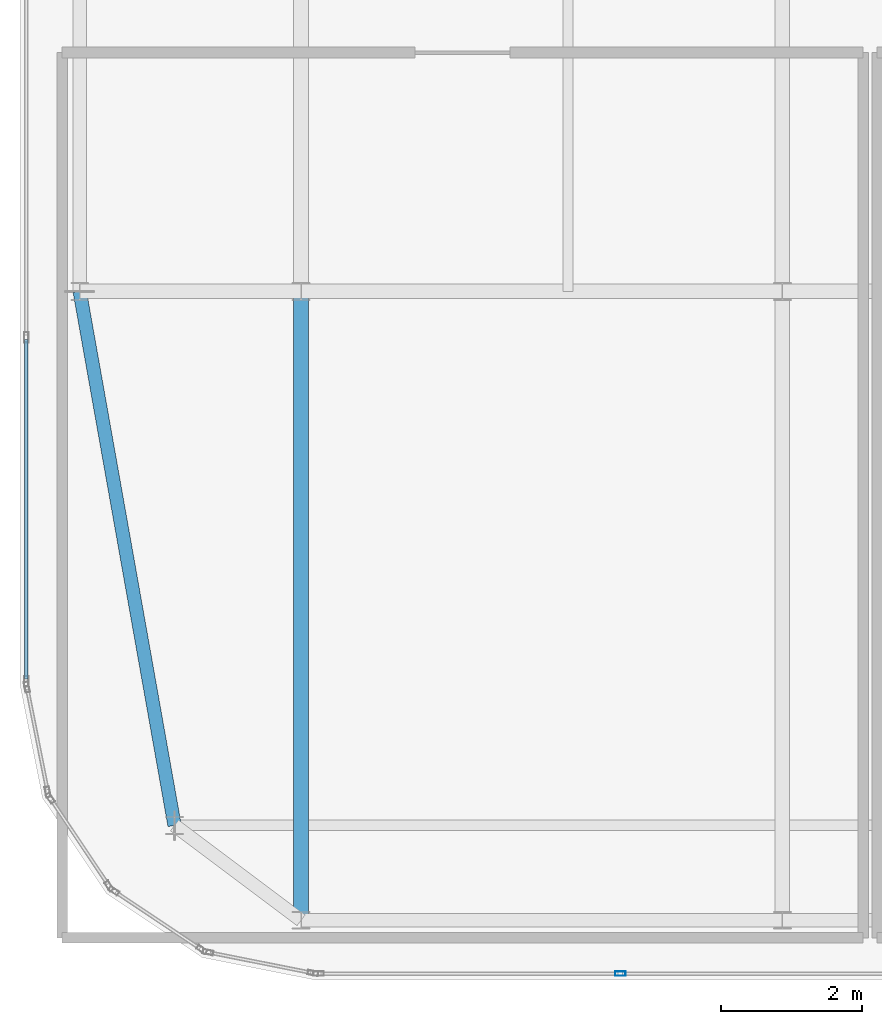
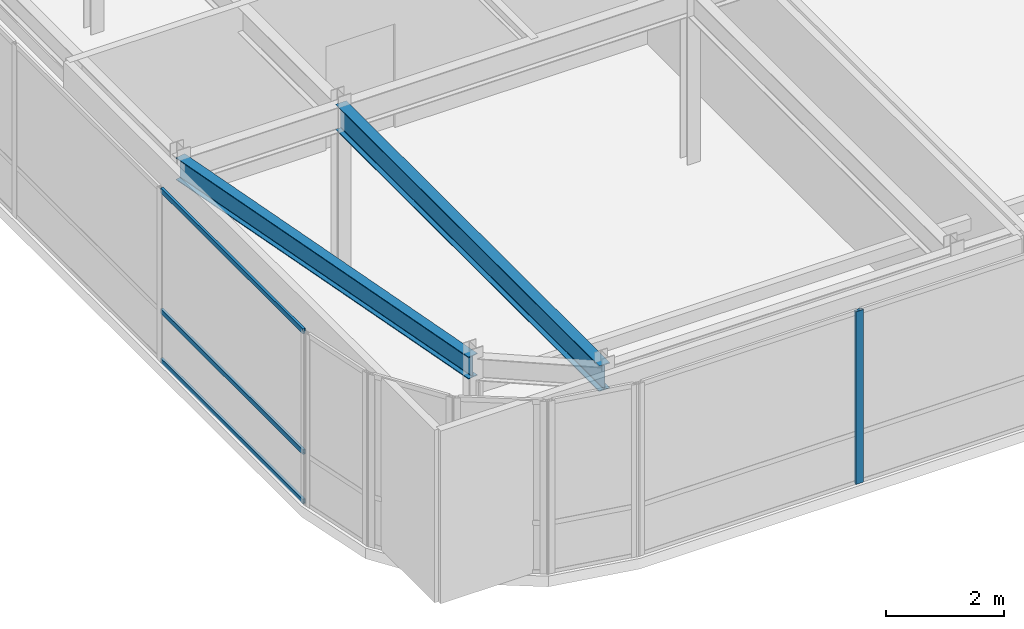
# One storey, part 6 of 36: 4 members, 2 beams, 2 elements without a shape of their own.
"""IFC4 building model written with IfcOpenShell, lengths in metres."""

from ifc_helpers import new_model, si_unit, direction, frame, origin, origin_2d, place, context, subcontext, project, spatial, hollow_rectangle, i_section, extrude, source, transform, mapped, material, layer, layer_set, material_profile, profile_set, type_object, type_shapes, element, aggregate, save


model = new_model("IFC4")

# Units and contexts
model_context = context("Model", 3, precision=1e-05, world=origin(), true_north=direction((0.0, 1.0)))
body_context = subcontext(model_context, "Body", "Model", "MODEL_VIEW")
ifc_project = project(units=[si_unit("LENGTHUNIT", "METRE"), si_unit("AREAUNIT", "SQUARE_METRE"), si_unit("VOLUMEUNIT", "CUBIC_METRE"), si_unit("PLANEANGLEUNIT", "RADIAN"), si_unit("MASSUNIT", "GRAM", prefix="KILO")], contexts=[model_context])

# Site, building, storey
site_placement = place(None, origin())
site = spatial("IfcSite", under=ifc_project, at=site_placement, CompositionType="ELEMENT")
building_placement = place(site_placement, origin())
building = spatial("IfcBuilding", under=site, at=building_placement, Name="Tolvann Quenvar Hotel", CompositionType="ELEMENT")
storey_placement = place(building_placement, frame((0.0, 0.0, 306.14990234375)))
storey = spatial("IfcBuildingStorey", under=building, at=storey_placement, Name="L81", CompositionType="ELEMENT", Elevation=306.14990234375)

# Beams
ifc_material_1 = material(Name="Steel Grade 350", Category="steel")
ifc_material_profile_1 = material_profile(ifc_material_1, i_section(OverallWidth=0.19091796875, OverallDepth=0.4599609375, WebThickness=0.010009765625, FlangeThickness=0.01611328125, FilletRadius=0.011474609375, at=origin_2d()), Name="460UB82")
ifc_profile_set_1 = profile_set([ifc_material_profile_1], Name="Steel Grade 350")
beam_type_1 = type_object("IfcBeamType", Name="BM_SPAND_460UB82", PredefinedType="SPANDREL", material=ifc_profile_set_1)
shared_shape_1 = source(origin(), body_context, "Body", "SweptSolid", [
    extrude(i_section(OverallWidth=0.19091796875, OverallDepth=0.4599609375, WebThickness=0.010009765625, FlangeThickness=0.01611328125, FilletRadius=0.011474609375, at=origin_2d()), origin(), (0.0, 0.0, 1.0), 7.718994140625),
])
type_shapes(beam_type_1, [shared_shape_1])
beam_1_placement = place(storey_placement, frame((5.800048828125, 8.39990234375, 3.35009765625), z_axis=(-0.174903883222, 0.984585512606, 0.0), x_axis=(-0.984585512606, -0.174903883222, 0.0)))
element("IfcBeam", 1, at=beam_1_placement, inside=storey, type_object=beam_type_1, Name="BM-L81-NS-B2-B4", PredefinedType="SPANDREL", context=body_context, shape_type="MappedRepresentation", body=[
    mapped(shared_shape_1, transform((0.0, 0.0, 0.0), x_axis=(1.0, 0.0, 0.0), y_axis=(0.0, 1.0, 0.0), z_axis=(0.0, 0.0, 1.0), scale=1.0)),
])
ifc_material_profile_2 = material_profile(ifc_material_1, i_section(OverallWidth=0.208984375, OverallDepth=0.532958984375, WebThickness=0.01025390625, FlangeThickness=0.015625, FilletRadius=0.013916015625, at=origin_2d()), Name="530UB92")
ifc_profile_set_2 = profile_set([ifc_material_profile_2], Name="Steel Grade 350")
beam_type_2 = type_object("IfcBeamType", Name="BM_GIRD_530UB92", PredefinedType="BEAM", material=ifc_profile_set_2)
shared_shape_2 = source(origin(), body_context, "Body", "SweptSolid", [
    extrude(i_section(OverallWidth=0.208984375, OverallDepth=0.532958984375, WebThickness=0.01025390625, FlangeThickness=0.015625, FilletRadius=0.013916015625, at=origin_2d()), origin(), (0.0, 0.0, 1.0), 8.949951171875),
])
type_shapes(beam_type_2, [shared_shape_2])
beam_2_placement = place(storey_placement, frame((7.60009765625, 7.050048828125, 3.3134765625), z_axis=(0.0, 1.0, 0.0), x_axis=(-1.0, 0.0, 0.0)))
element("IfcBeam", 2, at=beam_2_placement, inside=storey, type_object=beam_type_2, Name="BM-L81-NS-C2-C4", PredefinedType="BEAM", context=body_context, shape_type="MappedRepresentation", body=[
    mapped(shared_shape_2, transform((0.0, 0.0, 0.0), x_axis=(1.0, 0.0, 0.0), y_axis=(0.0, 1.0, 0.0), z_axis=(0.0, 0.0, 1.0), scale=1.0)),
])

# Curtain wall, member
ifc_material_2 = material(Name="Thermally broken anodised architectural aluminium 6063-T6 and laminated low-E glass", Category="aluminium")
ifc_layer = layer(ifc_material_2, 0.179931640625)
ifc_layer_set = layer_set([ifc_layer], Name="Thermally broken anodised architectural aluminium 6063-T6 and laminated low-E glass")
curtain_wall_type = type_object("IfcCurtainWallType", Name="CW_SYS_LANT_06", PredefinedType="USERDEFINED", material=ifc_layer_set)
curtain_wall_1_placement = place(storey_placement, origin())
curtain_wall_1 = element("IfcCurtainWall", 3, at=curtain_wall_1_placement, inside=storey, type_object=curtain_wall_type, Name="Curtain Wall CW-LANT-06 (CWR-L81-E04)", ObjectType="UNITISED CURTAIN WALL", PredefinedType="USERDEFINED")
ifc_material_3 = material(Name="Anodised architectural aluminium 6063-T6 framing", Category="aluminium")
ifc_material_profile_3 = material_profile(ifc_material_3, hollow_rectangle(XDim=0.06494140625, YDim=0.14990234375, WallThickness=0.00390625, at=origin_2d()), Name="150x65x4RHS")
ifc_profile_set_3 = profile_set([ifc_material_profile_3], Name="Anodised architectural aluminium 6063-T6 framing")
member_type_1 = type_object("IfcMemberType", Name="CW_MULL_150x65", PredefinedType="MULLION", material=ifc_profile_set_3)
shared_shape_3 = source(origin(), body_context, "Body", "SweptSolid", [
    extrude(hollow_rectangle(XDim=0.06494140625, YDim=0.14990234375, WallThickness=0.00390625, at=origin_2d()), origin(), (0.0, 0.0, 1.0), 3.580078125),
])
type_shapes(member_type_1, [shared_shape_3])
member_1_placement = place(storey_placement, frame((12.144775390625, 6.2900390625, 0.0), z_axis=(0.0, 0.0, 1.0), x_axis=(0.0, 1.0, 0.0)))
member_1 = element("IfcMember", 4, at=member_1_placement, type_object=member_type_1, Name="CW-LANT-06 mullion 2", PredefinedType="MULLION", context=body_context, shape_type="MappedRepresentation", body=[
    mapped(shared_shape_3, transform((0.0, 0.0, 0.0), x_axis=(1.0, 0.0, 0.0), y_axis=(0.0, 1.0, 0.0), z_axis=(0.0, 0.0, 1.0), scale=1.0)),
])
aggregate(curtain_wall_1, [member_1])

# Curtain wall, members
curtain_wall_2_placement = place(storey_placement, origin())
curtain_wall_2 = element("IfcCurtainWall", 5, at=curtain_wall_2_placement, inside=storey, type_object=curtain_wall_type, Name="Curtain Wall CW-LANT-06 (CWR-L81-E19)", ObjectType="UNITISED CURTAIN WALL", PredefinedType="USERDEFINED")
ifc_material_profile_4 = material_profile(ifc_material_3, hollow_rectangle(XDim=0.050048828125, YDim=0.10009765625, WallThickness=0.0029296875, at=origin_2d()), Name="100x50x3RHS")
ifc_profile_set_4 = profile_set([ifc_material_profile_4], Name="Anodised architectural aluminium 6063-T6 framing")
member_type_2 = type_object("IfcMemberType", Name="CW_TRAN_100x50", PredefinedType="USERDEFINED", material=ifc_profile_set_4)
shared_shape_4 = source(origin(), body_context, "Body", "SweptSolid", [
    extrude(hollow_rectangle(XDim=0.050048828125, YDim=0.10009765625, WallThickness=0.0029296875, at=origin_2d()), origin(), (0.0, 0.0, 1.0), 4.830078125),
])
type_shapes(member_type_2, [shared_shape_4])
member_2_placement = place(storey_placement, frame((3.68994140625, 15.312255859375, 0.025146484375), z_axis=(0.0, -1.0, 0.0), x_axis=(1.0, 0.0, 0.0)))
member_2 = element("IfcMember", 6, at=member_2_placement, type_object=member_type_2, Name="CW-LANT-06 transom 6.1", ObjectType="TRANSOM", PredefinedType="USERDEFINED", context=body_context, shape_type="MappedRepresentation", body=[
    mapped(shared_shape_4, transform((0.0, 0.0, 0.0), x_axis=(1.0, 0.0, 0.0), y_axis=(0.0, 1.0, 0.0), z_axis=(0.0, 0.0, 1.0), scale=1.0)),
])
member_3_placement = place(storey_placement, frame((3.68994140625, 15.312255859375, 1.050048828125), z_axis=(0.0, -1.0, 0.0), x_axis=(1.0, 0.0, 0.0)))
member_3 = element("IfcMember", 7, at=member_3_placement, type_object=member_type_2, Name="CW-LANT-06 transom 6.2", ObjectType="TRANSOM", PredefinedType="USERDEFINED", context=body_context, shape_type="MappedRepresentation", body=[
    mapped(shared_shape_4, transform((0.0, 0.0, 0.0), x_axis=(1.0, 0.0, 0.0), y_axis=(0.0, 1.0, 0.0), z_axis=(0.0, 0.0, 1.0), scale=1.0)),
])
member_4_placement = place(storey_placement, frame((3.68994140625, 15.312255859375, 3.55517578125), z_axis=(0.0, -1.0, 0.0), x_axis=(1.0, 0.0, 0.0)))
member_4 = element("IfcMember", 8, at=member_4_placement, type_object=member_type_2, Name="CW-LANT-06 transom 6.3", ObjectType="TRANSOM", PredefinedType="USERDEFINED", context=body_context, shape_type="MappedRepresentation", body=[
    mapped(shared_shape_4, transform((0.0, 0.0, 0.0), x_axis=(1.0, 0.0, 0.0), y_axis=(0.0, 1.0, 0.0), z_axis=(0.0, 0.0, 1.0), scale=1.0)),
])
aggregate(curtain_wall_2, [member_2, member_3, member_4])

save(model, "model.ifc")
